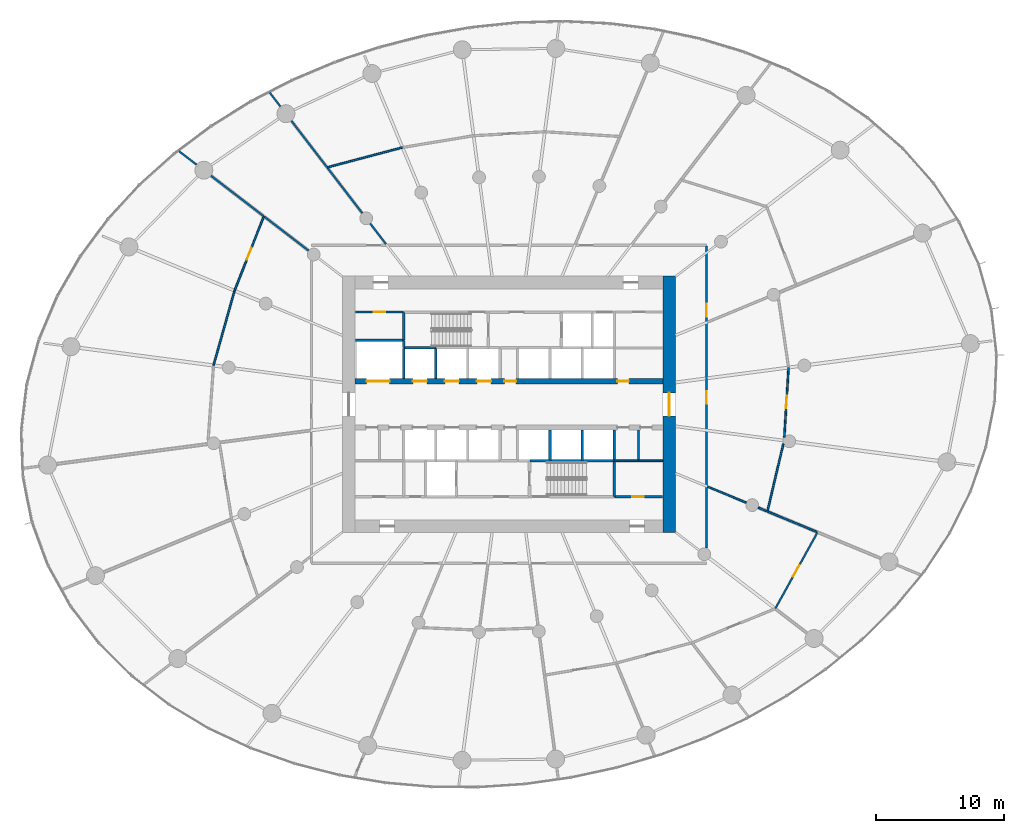
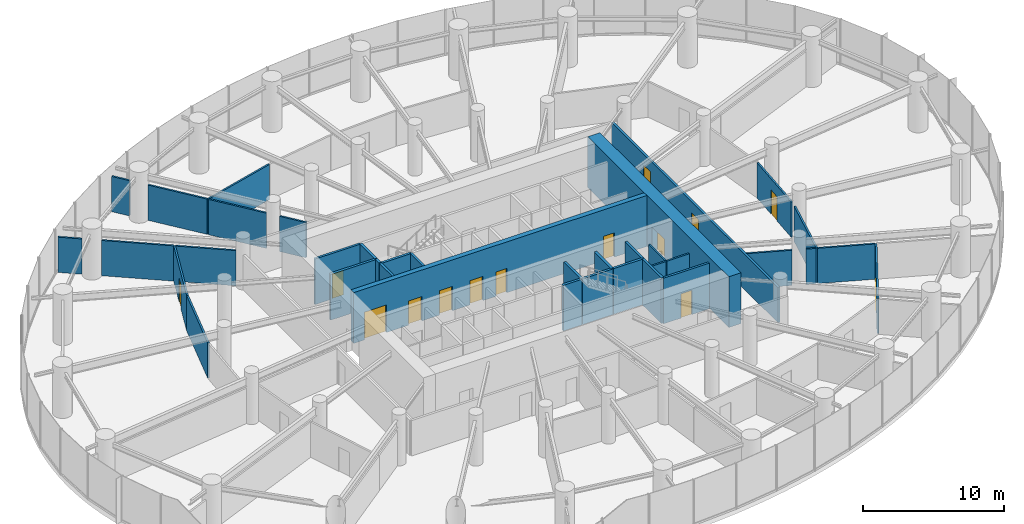
# One storey, part 14 of 19: 37 walls, 14 doors, 14 openings.
"""IFC4 building model written with IfcOpenShell, lengths in metres."""

from ifc_helpers import new_model, si_unit, direction, frame, frame_2d, origin, place, context, subcontext, project, spatial, rectangle, extrude, source, transform, mapped, material, layer, layer_set, type_object, element, fill, save


model = new_model("IFC4")

# Units and contexts
model_context = context("Model", 3, precision=1e-05, world=origin(), true_north=direction((0.0, 1.0)))
body_context = subcontext(model_context, "Body", "Model", "MODEL_VIEW")
ifc_project = project(units=[si_unit("LENGTHUNIT", "METRE"), si_unit("AREAUNIT", "SQUARE_METRE"), si_unit("VOLUMEUNIT", "CUBIC_METRE"), si_unit("PLANEANGLEUNIT", "RADIAN"), si_unit("MASSUNIT", "GRAM", prefix="KILO")], contexts=[model_context])

# Site, building, storey
site_placement = place(None, origin())
site = spatial("IfcSite", under=ifc_project, at=site_placement, CompositionType="ELEMENT")
building_placement = place(site_placement, origin())
building = spatial("IfcBuilding", under=site, at=building_placement, Name="Spindrift Exchange Tower", CompositionType="ELEMENT")
storey_placement = place(building_placement, frame((0.0, 0.0, 57.800048828125)))
storey = spatial("IfcBuildingStorey", under=building, at=storey_placement, Name="L13", CompositionType="ELEMENT", Elevation=57.800048828125)

# Wall, opening, door
ifc_material_1 = material(Name="Concrete 80 MPa", Category="concrete")
ifc_layer_1 = layer(ifc_material_1, 1.0)
ifc_layer_set_1 = layer_set([ifc_layer_1], Name="RC Core Wall 1000 Concrete 80 MPa")
wall_type_1 = type_object("IfcWallType", Name="RC Core Wall 1000 Concrete 80 MPa", PredefinedType="SHEAR", material=ifc_layer_set_1)
wall_1_placement = place(storey_placement, frame((64.5, 38.0, 0.0), z_axis=(0.0, 0.0, 1.0), x_axis=(0.0, 1.0, 0.0)))
wall_1 = element("IfcWall", 1, at=wall_1_placement, inside=storey, type_object=wall_type_1, Name="Core wall E L13", PredefinedType="SHEAR", context=body_context, shape_type="SweptSolid", body=[
    extrude(rectangle(XDim=20.0, YDim=1.0, at=frame_2d((10.0, 0.0))), origin(), (0.0, 0.0, 1.0), 4.39990234375),
])
opening_1_placement = place(wall_1_placement, frame((9.10009765625, 0.0, 0.0)))
opening_1 = element("IfcOpeningElement", 2, at=opening_1_placement, cuts=wall_1, Name="Opening L13-D2", PredefinedType="OPENING", context=body_context, shape_type="SweptSolid", body=[
    extrude(rectangle(XDim=1.800048828125, YDim=2.10009765625, at=frame_2d((0.89990234375, 1.050048828125))), frame((0.0, 0.510009765625, 0.0), z_axis=(0.0, -1.0, 0.0), x_axis=(1.0, 0.0, 0.0)), (0.0, 0.0, 1.0), 1.02001953125),
])
ifc_material_2 = material(Name="Timber-core fire door", Category="wood")
door_type_1 = type_object("IfcDoorType", Name="DR-LOBBY-1800", OperationType="NOTDEFINED", PredefinedType="DOOR", material=ifc_material_2)
shared_shape_1 = source(origin(), body_context, "Body", "SweptSolid", [
    extrude(rectangle(XDim=1.800048828125, YDim=2.10009765625, at=frame_2d((0.89990234375, 1.050048828125))), frame((0.0, 0.02490234375, 0.0), z_axis=(0.0, -1.0, 0.0), x_axis=(1.0, 0.0, 0.0)), (0.0, 0.0, 1.0), 0.050048828125),
])
door_1_placement = place(opening_1_placement, origin())
door_1 = element("IfcDoor", 3, at=door_1_placement, inside=storey, type_object=door_type_1, Name="L13 Lobby door 2", OperationType="SINGLE_SWING_LEFT", OverallHeight=2.10009765625, OverallWidth=1.800048828125, PredefinedType="DOOR", context=body_context, shape_type="MappedRepresentation", body=[
    mapped(shared_shape_1, transform((0.0, 0.0, 0.0), scale=1.0)),
])
fill(opening_1, door_1)

# Wall, openings, doors
ifc_layer_2 = layer(ifc_material_1, 0.39990234375)
ifc_layer_set_2 = layer_set([ifc_layer_2], Name="RC Spine Wall 400 Concrete 80 MPa")
wall_type_2 = type_object("IfcWallType", Name="RC Spine Wall 400 Concrete 80 MPa", PredefinedType="SHEAR", material=ifc_layer_set_2)
wall_2_placement = place(storey_placement, frame((40.0, 49.800048828125, 0.0), z_axis=(0.0, 0.0, 1.0), x_axis=(1.0, 0.0, 0.0)))
wall_2 = element("IfcWall", 4, at=wall_2_placement, inside=storey, type_object=wall_type_2, Name="Core spine wall N L13", PredefinedType="SHEAR", context=body_context, shape_type="SweptSolid", body=[
    extrude(rectangle(XDim=24.0, YDim=0.39990234375, at=frame_2d((12.0, 0.0))), origin(), (0.0, 0.0, 1.0), 4.39990234375),
])
opening_2_placement = place(wall_2_placement, frame((4.5, 0.0, 0.0)))
opening_2 = element("IfcOpeningElement", 5, at=opening_2_placement, cuts=wall_2, Name="Opening L13-D3", PredefinedType="OPENING", context=body_context, shape_type="SweptSolid", body=[
    extrude(rectangle(XDim=1.10009765625, YDim=2.10009765625, at=frame_2d((0.550048828125, 1.050048828125))), frame((0.0, 0.2099609375, 0.0), z_axis=(0.0, -1.0, 0.0), x_axis=(1.0, 0.0, 0.0)), (0.0, 0.0, 1.0), 0.419921875),
])
opening_3_placement = place(wall_2_placement, frame((7.0, 0.0, 0.0)))
opening_3 = element("IfcOpeningElement", 6, at=opening_3_placement, cuts=wall_2, Name="Opening L13-D4", PredefinedType="OPENING", context=body_context, shape_type="SweptSolid", body=[
    extrude(rectangle(XDim=1.10009765625, YDim=2.10009765625, at=frame_2d((0.550048828125, 1.050048828125))), frame((0.0, 0.2099609375, 0.0), z_axis=(0.0, -1.0, 0.0), x_axis=(1.0, 0.0, 0.0)), (0.0, 0.0, 1.0), 0.419921875),
])
opening_4_placement = place(wall_2_placement, frame((9.5, 0.0, 0.0)))
opening_4 = element("IfcOpeningElement", 7, at=opening_4_placement, cuts=wall_2, Name="Opening L13-D5", PredefinedType="OPENING", context=body_context, shape_type="SweptSolid", body=[
    extrude(rectangle(XDim=1.10009765625, YDim=2.10009765625, at=frame_2d((0.550048828125, 1.050048828125))), frame((0.0, 0.2099609375, 0.0), z_axis=(0.0, -1.0, 0.0), x_axis=(1.0, 0.0, 0.0)), (0.0, 0.0, 1.0), 0.419921875),
])
opening_5_placement = place(wall_2_placement, frame((0.89990234375, 0.0, 0.0)))
opening_5 = element("IfcOpeningElement", 8, at=opening_5_placement, cuts=wall_2, Name="Opening L13-D12", PredefinedType="OPENING", context=body_context, shape_type="SweptSolid", body=[
    extrude(rectangle(XDim=1.800048828125, YDim=2.39990234375, at=frame_2d((0.89990234375, 1.199951171875))), frame((0.0, 0.2099609375, 0.0), z_axis=(0.0, -1.0, 0.0), x_axis=(1.0, 0.0, 0.0)), (0.0, 0.0, 1.0), 0.419921875),
])
opening_6_placement = place(wall_2_placement, frame((20.449951171875, 0.0, 0.0)))
opening_6 = element("IfcOpeningElement", 9, at=opening_6_placement, cuts=wall_2, Name="Opening L13-D50", PredefinedType="OPENING", context=body_context, shape_type="SweptSolid", body=[
    extrude(rectangle(XDim=0.89990234375, YDim=2.10009765625, at=frame_2d((0.449951171875, 1.050048828125))), frame((0.0, 0.2099609375, 0.0), z_axis=(0.0, -1.0, 0.0), x_axis=(1.0, 0.0, 0.0)), (0.0, 0.0, 1.0), 0.419921875),
])
opening_7_placement = place(wall_2_placement, frame((11.64990234375, 0.0, 0.0)))
opening_7 = element("IfcOpeningElement", 10, at=opening_7_placement, cuts=wall_2, Name="Opening L13-D55", PredefinedType="OPENING", context=body_context, shape_type="SweptSolid", body=[
    extrude(rectangle(XDim=0.89990234375, YDim=2.10009765625, at=frame_2d((0.449951171875, 1.050048828125))), frame((0.0, 0.2099609375, 0.0), z_axis=(0.0, -1.0, 0.0), x_axis=(1.0, 0.0, 0.0)), (0.0, 0.0, 1.0), 0.419921875),
])
ifc_material_3 = material(Name="Stainless steel landing door", Category="steel")
door_type_2 = type_object("IfcDoorType", Name="DR-LANDING-1100-SL", OperationType="DOUBLE_DOOR_SLIDING", PredefinedType="USERDEFINED", material=ifc_material_3)
shared_shape_2 = source(origin(), body_context, "Body", "SweptSolid", [
    extrude(rectangle(XDim=1.10009765625, YDim=2.10009765625, at=frame_2d((0.550048828125, 1.050048828125))), frame((0.0, 0.02490234375, 0.0), z_axis=(0.0, -1.0, 0.0), x_axis=(1.0, 0.0, 0.0)), (0.0, 0.0, 1.0), 0.050048828125),
])
door_2_placement = place(opening_2_placement, origin())
door_2 = element("IfcDoor", 11, at=door_2_placement, inside=storey, type_object=door_type_2, Name="L13 Lift landing door 3", ObjectType="LANDING DOOR", OperationType="DOUBLE_DOOR_SLIDING", OverallHeight=2.10009765625, OverallWidth=1.10009765625, PredefinedType="USERDEFINED", context=body_context, shape_type="MappedRepresentation", body=[
    mapped(shared_shape_2, transform((0.0, 0.0, 0.0), scale=1.0)),
])
fill(opening_2, door_2)
door_3_placement = place(opening_3_placement, origin())
door_3 = element("IfcDoor", 12, at=door_3_placement, inside=storey, type_object=door_type_2, Name="L13 Lift landing door 4", ObjectType="LANDING DOOR", OperationType="DOUBLE_DOOR_SLIDING", OverallHeight=2.10009765625, OverallWidth=1.10009765625, PredefinedType="USERDEFINED", context=body_context, shape_type="MappedRepresentation", body=[
    mapped(shared_shape_2, transform((0.0, 0.0, 0.0), scale=1.0)),
])
fill(opening_3, door_3)
door_4_placement = place(opening_4_placement, origin())
door_4 = element("IfcDoor", 13, at=door_4_placement, inside=storey, type_object=door_type_2, Name="L13 Lift landing door 5", ObjectType="LANDING DOOR", OperationType="DOUBLE_DOOR_SLIDING", OverallHeight=2.10009765625, OverallWidth=1.10009765625, PredefinedType="USERDEFINED", context=body_context, shape_type="MappedRepresentation", body=[
    mapped(shared_shape_2, transform((0.0, 0.0, 0.0), scale=1.0)),
])
fill(opening_4, door_4)
door_type_3 = type_object("IfcDoorType", Name="DR-LANDING-1800-SL", OperationType="DOUBLE_DOOR_SLIDING", PredefinedType="USERDEFINED", material=ifc_material_3)
shared_shape_3 = source(origin(), body_context, "Body", "SweptSolid", [
    extrude(rectangle(XDim=1.800048828125, YDim=2.39990234375, at=frame_2d((0.89990234375, 1.199951171875))), frame((0.0, 0.02490234375, 0.0), z_axis=(0.0, -1.0, 0.0), x_axis=(1.0, 0.0, 0.0)), (0.0, 0.0, 1.0), 0.050048828125),
])
door_5_placement = place(opening_5_placement, origin())
door_5 = element("IfcDoor", 14, at=door_5_placement, inside=storey, type_object=door_type_3, Name="L13 Lift landing door 12", ObjectType="LANDING DOOR", OperationType="DOUBLE_DOOR_SLIDING", OverallHeight=2.39990234375, OverallWidth=1.800048828125, PredefinedType="USERDEFINED", context=body_context, shape_type="MappedRepresentation", body=[
    mapped(shared_shape_3, transform((0.0, 0.0, 0.0), scale=1.0)),
])
fill(opening_5, door_5)
ifc_material_4 = material(Name="Steel access door", Category="steel")
door_type_4 = type_object("IfcDoorType", Name="DR-RISER-900", OperationType="NOTDEFINED", PredefinedType="DOOR", material=ifc_material_4)
shared_shape_4 = source(origin(), body_context, "Body", "SweptSolid", [
    extrude(rectangle(XDim=0.89990234375, YDim=2.10009765625, at=frame_2d((0.449951171875, 1.050048828125))), frame((0.0, 0.02490234375, 0.0), z_axis=(0.0, -1.0, 0.0), x_axis=(1.0, 0.0, 0.0)), (0.0, 0.0, 1.0), 0.050048828125),
])
door_6_placement = place(opening_6_placement, origin())
door_6 = element("IfcDoor", 15, at=door_6_placement, inside=storey, type_object=door_type_4, Name="L13 Riser door 50", OperationType="SINGLE_SWING_LEFT", OverallHeight=2.10009765625, OverallWidth=0.89990234375, PredefinedType="DOOR", context=body_context, shape_type="MappedRepresentation", body=[
    mapped(shared_shape_4, transform((0.0, 0.0, 0.0), scale=1.0)),
])
fill(opening_6, door_6)
door_7_placement = place(opening_7_placement, origin())
door_7 = element("IfcDoor", 16, at=door_7_placement, inside=storey, type_object=door_type_4, Name="L13 Riser door 55", OperationType="SINGLE_SWING_RIGHT", OverallHeight=2.10009765625, OverallWidth=0.89990234375, PredefinedType="DOOR", context=body_context, shape_type="MappedRepresentation", body=[
    mapped(shared_shape_4, transform((0.0, 0.0, 0.0), scale=1.0)),
])
fill(opening_7, door_7)

# Wall, opening, door
ifc_material_5 = material(Name="Fire-rated plasterboard partition", Category="gypsum")
ifc_layer_3 = layer(ifc_material_5, 0.179931640625)
ifc_layer_set_3 = layer_set([ifc_layer_3], Name="W-CORR-180")
wall_type_3 = type_object("IfcWallType", Name="W-CORR-180", PredefinedType="PARTITIONING", material=ifc_layer_set_3)
wall_3_placement = place(storey_placement, frame((43.77001953125, 55.199951171875, 0.0), z_axis=(0.0, 0.0, 1.0), x_axis=(-1.0, 0.0, 0.0)))
wall_3 = element("IfcWall", 17, at=wall_3_placement, inside=storey, type_object=wall_type_3, Name="L13 Partition wall 62", PredefinedType="PARTITIONING", context=body_context, shape_type="SweptSolid", body=[
    extrude(rectangle(XDim=3.75, YDim=0.179931640625, at=frame_2d((1.875, 0.0))), origin(), (0.0, 0.0, 1.0), 3.949951171875),
])
opening_8_placement = place(wall_3_placement, frame((1.39990234375, 0.0, 0.0)))
opening_8 = element("IfcOpeningElement", 18, at=opening_8_placement, cuts=wall_3, Name="Opening L13-D46", PredefinedType="OPENING", context=body_context, shape_type="SweptSolid", body=[
    extrude(rectangle(XDim=0.89990234375, YDim=2.10009765625, at=frame_2d((0.449951171875, 1.050048828125))), frame((0.0, 0.099853515625, 0.0), z_axis=(0.0, -1.0, 0.0), x_axis=(1.0, 0.0, 0.0)), (0.0, 0.0, 1.0), 0.199951171875),
])
door_8_placement = place(opening_8_placement, origin())
door_8 = element("IfcDoor", 19, at=door_8_placement, inside=storey, type_object=door_type_4, Name="L13 Riser door 46", OperationType="SINGLE_SWING_LEFT", OverallHeight=2.10009765625, OverallWidth=0.89990234375, PredefinedType="DOOR", context=body_context, shape_type="MappedRepresentation", body=[
    mapped(shared_shape_4, transform((0.0, 0.0, 0.0), scale=1.0)),
])
fill(opening_8, door_8)

wall_4_placement = place(storey_placement, frame((60.22998046875, 40.800048828125, 0.0), z_axis=(0.0, 0.0, 1.0), x_axis=(1.0, 0.0, 0.0)))
wall_4 = element("IfcWall", 20, at=wall_4_placement, inside=storey, type_object=wall_type_3, Name="L13 Partition wall 63", PredefinedType="PARTITIONING", context=body_context, shape_type="SweptSolid", body=[
    extrude(rectangle(XDim=3.75, YDim=0.179931640625, at=frame_2d((1.875, 0.0))), origin(), (0.0, 0.0, 1.0), 3.949951171875),
])
opening_9_placement = place(wall_4_placement, frame((1.39990234375, 0.0, 0.0)))
opening_9 = element("IfcOpeningElement", 21, at=opening_9_placement, cuts=wall_4, Name="Opening L13-D52", PredefinedType="OPENING", context=body_context, shape_type="SweptSolid", body=[
    extrude(rectangle(XDim=0.89990234375, YDim=2.10009765625, at=frame_2d((0.449951171875, 1.050048828125))), frame((0.0, 0.099853515625, 0.0), z_axis=(0.0, -1.0, 0.0), x_axis=(1.0, 0.0, 0.0)), (0.0, 0.0, 1.0), 0.199951171875),
])
door_9_placement = place(opening_9_placement, origin())
door_9 = element("IfcDoor", 22, at=door_9_placement, inside=storey, type_object=door_type_4, Name="L13 Riser door 52", OperationType="SINGLE_SWING_LEFT", OverallHeight=2.10009765625, OverallWidth=0.89990234375, PredefinedType="DOOR", context=body_context, shape_type="MappedRepresentation", body=[
    mapped(shared_shape_4, transform((0.0, 0.0, 0.0), scale=1.0)),
])
fill(opening_9, door_9)

ifc_layer_4 = layer(ifc_material_5, 0.139892578125)
ifc_layer_set_4 = layer_set([ifc_layer_4], Name="W-PART-140")
wall_type_4 = type_object("IfcWallType", Name="W-PART-140", PredefinedType="PARTITIONING", material=ifc_layer_set_4)
wall_5_placement = place(storey_placement, frame((76.071044921875, 38.029296875, 0.0), z_axis=(0.0, 0.0, 1.0), x_axis=(-0.484378309165, -0.874858647788, 0.0)))
wall_5 = element("IfcWall", 23, at=wall_5_placement, inside=storey, type_object=wall_type_4, Name="L13 Partition wall 74", PredefinedType="PARTITIONING", context=body_context, shape_type="SweptSolid", body=[
    extrude(rectangle(XDim=6.788818359375, YDim=0.139892578125, at=frame_2d((3.39453125, 0.0))), origin(), (0.0, 0.0, 1.0), 3.050048828125),
])
opening_10_placement = place(wall_5_placement, frame((2.938720703125, 0.0, 0.0)))
opening_10 = element("IfcOpeningElement", 24, at=opening_10_placement, cuts=wall_5, Name="Opening L13-D30", PredefinedType="OPENING", context=body_context, shape_type="SweptSolid", body=[
    extrude(rectangle(XDim=1.0, YDim=2.10009765625, at=frame_2d((0.5, 1.050048828125))), frame((0.0, 0.079833984375, 0.0), z_axis=(0.0, -1.0, 0.0), x_axis=(1.0, 0.0, 0.0)), (0.0, 0.0, 1.0), 0.159912109375),
])
door_type_5 = type_object("IfcDoorType", Name="DR-ROOM-1000", OperationType="NOTDEFINED", PredefinedType="DOOR", material=ifc_material_2)
shared_shape_5 = source(origin(), body_context, "Body", "SweptSolid", [
    extrude(rectangle(XDim=1.0, YDim=2.10009765625, at=frame_2d((0.5, 1.050048828125))), frame((0.0, 0.02490234375, 0.0), z_axis=(0.0, -1.0, 0.0), x_axis=(1.0, 0.0, 0.0)), (0.0, 0.0, 1.0), 0.050048828125),
])
door_10_placement = place(opening_10_placement, origin())
door_10 = element("IfcDoor", 25, at=door_10_placement, inside=storey, type_object=door_type_5, Name="L13 Door 30", OperationType="SINGLE_SWING_LEFT", OverallHeight=2.10009765625, OverallWidth=1.0, PredefinedType="DOOR", context=body_context, shape_type="MappedRepresentation", body=[
    mapped(shared_shape_5, transform((0.0, 0.0, 0.0), scale=1.0)),
])
fill(opening_10, door_10)

# Walls
wall_6_placement = place(storey_placement, frame((72.18603515625, 39.638671875, 0.0), z_axis=(0.0, 0.0, 1.0), x_axis=(0.923883699466, -0.382673372291, 0.0)))
element("IfcWall", 26, at=wall_6_placement, inside=storey, type_object=wall_type_4, Name="L13 Partition wall 103", PredefinedType="PARTITIONING", context=body_context, shape_type="SweptSolid", body=[
    extrude(rectangle(XDim=4.134765625, YDim=0.139892578125, at=frame_2d((2.0673828125, 0.0))), origin(), (0.0, 0.0, 1.0), 3.050048828125),
])
wall_7_placement = place(storey_placement, frame((62.10009765625, 43.60009765625, 0.0), z_axis=(0.0, 0.0, 1.0), x_axis=(0.0, 1.0, 0.0)))
element("IfcWall", 27, at=wall_7_placement, inside=storey, type_object=wall_type_4, Name="L13 Partition wall 116", PredefinedType="PARTITIONING", context=body_context, shape_type="SweptSolid", body=[
    extrude(rectangle(XDim=2.389892578125, YDim=0.139892578125, at=frame_2d((1.19482421875, 0.0))), origin(), (0.0, 0.0, 1.0), 3.050048828125),
])
wall_8_placement = place(storey_placement, frame((60.22998046875, 43.60009765625, 0.0), z_axis=(0.0, 0.0, 1.0), x_axis=(1.0, 0.0, 0.0)))
element("IfcWall", 28, at=wall_8_placement, inside=storey, type_object=wall_type_4, Name="L13 Partition wall 125", PredefinedType="PARTITIONING", context=body_context, shape_type="SweptSolid", body=[
    extrude(rectangle(XDim=1.840087890625, YDim=0.139892578125, at=frame_2d((0.919921875, 0.0))), origin(), (0.0, 0.0, 1.0), 3.050048828125),
])
wall_9_placement = place(storey_placement, frame((62.1298828125, 43.60009765625, 0.0), z_axis=(0.0, 0.0, 1.0), x_axis=(1.0, 0.0, 0.0)))
element("IfcWall", 29, at=wall_9_placement, inside=storey, type_object=wall_type_4, Name="L13 Partition wall 127", PredefinedType="PARTITIONING", context=body_context, shape_type="SweptSolid", body=[
    extrude(rectangle(XDim=1.85009765625, YDim=0.139892578125, at=frame_2d((0.925048828125, 0.0))), origin(), (0.0, 0.0, 1.0), 3.050048828125),
])

# Wall, opening, door
ifc_layer_5 = layer(ifc_material_5, 0.139892578125)
ifc_layer_set_5 = layer_set([ifc_layer_5], Name="W-PLANT-140")
wall_type_5 = type_object("IfcWallType", Name="W-PLANT-140", PredefinedType="PARTITIONING", material=ifc_layer_set_5)
wall_10_placement = place(storey_placement, frame((30.596923828125, 56.865478515625, 0.0), z_axis=(0.0, 0.0, 1.0), x_axis=(0.36659433638, 0.930380885731, 0.0)))
wall_10 = element("IfcWall", 30, at=wall_10_placement, inside=storey, type_object=wall_type_5, Name="L13 Partition wall 77", PredefinedType="PARTITIONING", context=body_context, shape_type="SweptSolid", body=[
    extrude(rectangle(XDim=6.237548828125, YDim=0.139892578125, at=frame_2d((3.11865234375, 0.0))), origin(), (0.0, 0.0, 1.0), 3.050048828125),
])
opening_11_placement = place(wall_10_placement, frame((2.58740234375, 0.0, 0.0)))
opening_11 = element("IfcOpeningElement", 31, at=opening_11_placement, cuts=wall_10, Name="Opening L13-D41", PredefinedType="OPENING", context=body_context, shape_type="SweptSolid", body=[
    extrude(rectangle(XDim=1.0, YDim=2.10009765625, at=frame_2d((0.5, 1.050048828125))), frame((0.0, 0.079833984375, 0.0), z_axis=(0.0, -1.0, 0.0), x_axis=(1.0, 0.0, 0.0)), (0.0, 0.0, 1.0), 0.159912109375),
])
door_11_placement = place(opening_11_placement, origin())
door_11 = element("IfcDoor", 32, at=door_11_placement, inside=storey, type_object=door_type_5, Name="L13 Door 41", OperationType="SINGLE_SWING_RIGHT", OverallHeight=2.10009765625, OverallWidth=1.0, PredefinedType="DOOR", context=body_context, shape_type="MappedRepresentation", body=[
    mapped(shared_shape_5, transform((0.0, 0.0, 0.0), scale=1.0)),
])
fill(opening_11, door_11)

# Walls
wall_11_placement = place(storey_placement, frame((43.699951171875, 68.038330078125, 0.0), z_axis=(0.0, 0.0, 1.0), x_axis=(-0.966620202726, -0.256213550932, 0.0)))
element("IfcWall", 33, at=wall_11_placement, inside=storey, type_object=wall_type_5, Name="L13 Partition wall 79", PredefinedType="PARTITIONING", context=body_context, shape_type="SweptSolid", body=[
    extrude(rectangle(XDim=6.083251953125, YDim=0.139892578125, at=frame_2d((3.04150390625, 0.0))), origin(), (0.0, 0.0, 1.0), 3.050048828125),
])
wall_12_placement = place(storey_placement, frame((30.5888671875, 56.836669921875, 0.0), z_axis=(0.0, 0.0, 1.0), x_axis=(-0.270856993037, -0.962619597413, 0.0)))
element("IfcWall", 34, at=wall_12_placement, inside=storey, type_object=wall_type_5, Name="L13 Partition wall 80", PredefinedType="PARTITIONING", context=body_context, shape_type="SweptSolid", body=[
    extrude(rectangle(XDim=6.0283203125, YDim=0.139892578125, at=frame_2d((3.01416015625, 0.0))), origin(), (0.0, 0.0, 1.0), 3.050048828125),
])

# Wall, opening, door
wall_13_placement = place(storey_placement, frame((73.808349609375, 50.87109375, 0.0), z_axis=(0.0, 0.0, 1.0), x_axis=(-0.061254326826, -0.998122190639, 0.0)))
wall_13 = element("IfcWall", 35, at=wall_13_placement, inside=storey, type_object=wall_type_5, Name="L13 Partition wall 89", PredefinedType="PARTITIONING", context=body_context, shape_type="SweptSolid", body=[
    extrude(rectangle(XDim=5.4365234375, YDim=0.139892578125, at=frame_2d((2.71826171875, 0.0))), origin(), (0.0, 0.0, 1.0), 3.050048828125),
])
opening_12_placement = place(wall_13_placement, frame((2.186279296875, 0.0, 0.0)))
opening_12 = element("IfcOpeningElement", 36, at=opening_12_placement, cuts=wall_13, Name="Opening L13-D33", PredefinedType="OPENING", context=body_context, shape_type="SweptSolid", body=[
    extrude(rectangle(XDim=1.0, YDim=2.10009765625, at=frame_2d((0.5, 1.050048828125))), frame((0.0, 0.079833984375, 0.0), z_axis=(0.0, -1.0, 0.0), x_axis=(1.0, 0.0, 0.0)), (0.0, 0.0, 1.0), 0.159912109375),
])
door_12_placement = place(opening_12_placement, origin())
door_12 = element("IfcDoor", 37, at=door_12_placement, inside=storey, type_object=door_type_5, Name="L13 Door 33", OperationType="SINGLE_SWING_RIGHT", OverallHeight=2.10009765625, OverallWidth=1.0, PredefinedType="DOOR", context=body_context, shape_type="MappedRepresentation", body=[
    mapped(shared_shape_5, transform((0.0, 0.0, 0.0), scale=1.0)),
])
fill(opening_12, door_12)

# Walls
wall_14_placement = place(storey_placement, frame((72.158203125, 39.650146484375, 0.0), z_axis=(0.0, 0.0, 1.0), x_axis=(0.229149871326, 0.973391152863, 0.0)))
element("IfcWall", 38, at=wall_14_placement, inside=storey, type_object=wall_type_5, Name="L13 Partition wall 90", PredefinedType="PARTITIONING", context=body_context, shape_type="SweptSolid", body=[
    extrude(rectangle(XDim=5.41650390625, YDim=0.139892578125, at=frame_2d((2.708251953125, 0.0))), origin(), (0.0, 0.0, 1.0), 3.050048828125),
])
wall_15_placement = place(storey_placement, frame((32.85986328125, 62.686767578125, 0.0), z_axis=(0.0, 0.0, 1.0), x_axis=(-0.793372969887, 0.608735846367, 0.0)))
element("IfcWall", 39, at=wall_15_placement, inside=storey, type_object=wall_type_5, Name="L13 Partition wall 94", PredefinedType="PARTITIONING", context=body_context, shape_type="SweptSolid", body=[
    extrude(rectangle(XDim=5.170166015625, YDim=0.139892578125, at=frame_2d((2.5849609375, 0.0))), origin(), (0.0, 0.0, 1.0), 3.050048828125),
])
wall_16_placement = place(storey_placement, frame((37.8017578125, 66.503662109375, 0.0), z_axis=(0.0, 0.0, 1.0), x_axis=(-0.608789725695, 0.793331626679, 0.0)))
element("IfcWall", 40, at=wall_16_placement, inside=storey, type_object=wall_type_5, Name="L13 Partition wall 97", PredefinedType="PARTITIONING", context=body_context, shape_type="SweptSolid", body=[
    extrude(rectangle(XDim=4.549560546875, YDim=0.139892578125, at=frame_2d((2.27490234375, 0.0))), origin(), (0.0, 0.0, 1.0), 3.050048828125),
])
wall_17_placement = place(storey_placement, frame((40.55908203125, 62.91015625, 0.0), z_axis=(0.0, 0.0, 1.0), x_axis=(-0.608750123595, 0.793362015112, 0.0)))
element("IfcWall", 41, at=wall_17_placement, inside=storey, type_object=wall_type_5, Name="L13 Partition wall 100", PredefinedType="PARTITIONING", context=body_context, shape_type="SweptSolid", body=[
    extrude(rectangle(XDim=4.423583984375, YDim=0.139892578125, at=frame_2d((2.2119140625, 0.0))), origin(), (0.0, 0.0, 1.0), 3.050048828125),
])
wall_18_placement = place(storey_placement, frame((36.367431640625, 59.995361328125, 0.0), z_axis=(0.0, 0.0, 1.0), x_axis=(-0.793350599557, 0.608765000786, 0.0)))
element("IfcWall", 42, at=wall_18_placement, inside=storey, type_object=wall_type_5, Name="L13 Partition wall 102", PredefinedType="PARTITIONING", context=body_context, shape_type="SweptSolid", body=[
    extrude(rectangle(XDim=4.318359375, YDim=0.139892578125, at=frame_2d((2.1591796875, 0.0))), origin(), (0.0, 0.0, 1.0), 3.050048828125),
])
wall_19_placement = place(storey_placement, frame((67.489990234375, 41.583740234375, 0.0), z_axis=(0.0, 0.0, 1.0), x_axis=(0.923911109142, -0.382607190737, 0.0)))
element("IfcWall", 43, at=wall_19_placement, inside=storey, type_object=wall_type_5, Name="L13 Partition wall 108", PredefinedType="PARTITIONING", context=body_context, shape_type="SweptSolid", body=[
    extrude(rectangle(XDim=3.264404296875, YDim=0.139892578125, at=frame_2d((1.63232421875, 0.0))), origin(), (0.0, 0.0, 1.0), 3.050048828125),
])
wall_20_placement = place(storey_placement, frame((42.416015625, 60.489990234375, 0.0), z_axis=(0.0, 0.0, 1.0), x_axis=(-0.608727763541, 0.793379171578, 0.0)))
element("IfcWall", 44, at=wall_20_placement, inside=storey, type_object=wall_type_5, Name="L13 Partition wall 117", PredefinedType="PARTITIONING", context=body_context, shape_type="SweptSolid", body=[
    extrude(rectangle(XDim=2.04150390625, YDim=0.139892578125, at=frame_2d((1.020751953125, 0.0))), origin(), (0.0, 0.0, 1.0), 3.050048828125),
])
wall_21_placement = place(storey_placement, frame((27.640625, 66.69140625, 0.0), z_axis=(0.0, 0.0, 1.0), x_axis=(-0.793288592826, 0.608845800258, 0.0)))
element("IfcWall", 45, at=wall_21_placement, inside=storey, type_object=wall_type_5, Name="L13 Partition wall 128", PredefinedType="PARTITIONING", context=body_context, shape_type="SweptSolid", body=[
    extrude(rectangle(XDim=1.719482421875, YDim=0.139892578125, at=frame_2d((0.85986328125, 0.0))), origin(), (0.0, 0.0, 1.0), 3.050048828125),
])
wall_22_placement = place(storey_placement, frame((34.1748046875, 71.23046875, 0.0), z_axis=(0.0, 0.0, 1.0), x_axis=(-0.608933775349, 0.793221064546, 0.0)))
element("IfcWall", 46, at=wall_22_placement, inside=storey, type_object=wall_type_5, Name="L13 Partition wall 131", PredefinedType="PARTITIONING", context=body_context, shape_type="SweptSolid", body=[
    extrude(rectangle(XDim=1.3671875, YDim=0.139892578125, at=frame_2d((0.68359375, 0.0))), origin(), (0.0, 0.0, 1.0), 3.050048828125),
])
wall_23_placement = place(storey_placement, frame((71.439208984375, 39.947998046875, 0.0), z_axis=(0.0, 0.0, 1.0), x_axis=(0.92386119338, -0.382727703944, 0.0)))
element("IfcWall", 47, at=wall_23_placement, inside=storey, type_object=wall_type_5, Name="L13 Partition wall 137", PredefinedType="PARTITIONING", context=body_context, shape_type="SweptSolid", body=[
    extrude(rectangle(XDim=0.70751953125, YDim=0.139892578125, at=frame_2d((0.353759765625, 0.0))), origin(), (0.0, 0.0, 1.0), 3.050048828125),
])

# Wall, openings, doors
ifc_layer_6 = layer(ifc_material_5, 0.179931640625)
ifc_layer_set_6 = layer_set([ifc_layer_6], Name="W-PLANT-180")
wall_type_6 = type_object("IfcWallType", Name="W-PLANT-180", PredefinedType="PARTITIONING", material=ifc_layer_set_6)
wall_24_placement = place(storey_placement, frame((67.39990234375, 60.3701171875, 0.0), z_axis=(0.0, 0.0, 1.0), x_axis=(0.0, -1.0, 0.0)))
wall_24 = element("IfcWall", 48, at=wall_24_placement, inside=storey, type_object=wall_type_6, Name="L13 Partition wall 59", PredefinedType="PARTITIONING", context=body_context, shape_type="SweptSolid", body=[
    extrude(rectangle(XDim=23.58251953125, YDim=0.179931640625, at=frame_2d((11.791259765625, 0.0))), origin(), (0.0, 0.0, 1.0), 3.050048828125),
])
opening_13_placement = place(wall_24_placement, frame((11.33251953125, 0.0, 0.0)))
opening_13 = element("IfcOpeningElement", 49, at=opening_13_placement, cuts=wall_24, Name="Opening L13-D32", PredefinedType="OPENING", context=body_context, shape_type="SweptSolid", body=[
    extrude(rectangle(XDim=1.0, YDim=2.10009765625, at=frame_2d((0.5, 1.050048828125))), frame((0.0, 0.099853515625, 0.0), z_axis=(0.0, -1.0, 0.0), x_axis=(1.0, 0.0, 0.0)), (0.0, 0.0, 1.0), 0.199951171875),
])
opening_14_placement = place(wall_24_placement, frame((4.532470703125, 0.0, 0.0)))
opening_14 = element("IfcOpeningElement", 50, at=opening_14_placement, cuts=wall_24, Name="Opening L13-D34", PredefinedType="OPENING", context=body_context, shape_type="SweptSolid", body=[
    extrude(rectangle(XDim=1.0, YDim=2.10009765625, at=frame_2d((0.5, 1.050048828125))), frame((0.0, 0.099853515625, 0.0), z_axis=(0.0, -1.0, 0.0), x_axis=(1.0, 0.0, 0.0)), (0.0, 0.0, 1.0), 0.199951171875),
])
door_13_placement = place(opening_13_placement, origin())
door_13 = element("IfcDoor", 51, at=door_13_placement, inside=storey, type_object=door_type_5, Name="L13 Door 32", OperationType="SINGLE_SWING_LEFT", OverallHeight=2.10009765625, OverallWidth=1.0, PredefinedType="DOOR", context=body_context, shape_type="MappedRepresentation", body=[
    mapped(shared_shape_5, transform((0.0, 0.0, 0.0), scale=1.0)),
])
fill(opening_13, door_13)
door_14_placement = place(opening_14_placement, origin())
door_14 = element("IfcDoor", 52, at=door_14_placement, inside=storey, type_object=door_type_5, Name="L13 Door 34", OperationType="SINGLE_SWING_LEFT", OverallHeight=2.10009765625, OverallWidth=1.0, PredefinedType="DOOR", context=body_context, shape_type="MappedRepresentation", body=[
    mapped(shared_shape_5, transform((0.0, 0.0, 0.0), scale=1.0)),
])
fill(opening_14, door_14)

# Walls
ifc_material_6 = material(Name="Concrete 40 MPa", Category="concrete")
ifc_layer_7 = layer(ifc_material_6, 0.199951171875)
ifc_layer_set_7 = layer_set([ifc_layer_7], Name="W-SHAFT-200-LB")
wall_type_7 = type_object("IfcWallType", Name="W-SHAFT-200-LB", PredefinedType="SOLIDWALL", material=ifc_layer_set_7)
wall_25_placement = place(storey_placement, frame((43.800048828125, 53.0, 0.0), z_axis=(0.0, 0.0, 1.0), x_axis=(-1.0, 0.0, 0.0)))
element("IfcWall", 53, at=wall_25_placement, inside=storey, type_object=wall_type_7, Name="L13 Shaft wall 5", PredefinedType="SOLIDWALL", context=body_context, shape_type="SweptSolid", body=[
    extrude(rectangle(XDim=3.780029296875, YDim=0.199951171875, at=frame_2d((1.89013671875, 0.0))), origin(), (0.0, 0.0, 1.0), 3.949951171875),
])
wall_26_placement = place(storey_placement, frame((60.199951171875, 40.830078125, 0.0), z_axis=(0.0, 0.0, 1.0), x_axis=(0.0, 1.0, 0.0)))
element("IfcWall", 54, at=wall_26_placement, inside=storey, type_object=wall_type_7, Name="L13 Shaft wall 10", PredefinedType="SOLIDWALL", context=body_context, shape_type="SweptSolid", body=[
    extrude(rectangle(XDim=2.77001953125, YDim=0.199951171875, at=frame_2d((1.385009765625, 0.0))), origin(), (0.0, 0.0, 1.0), 3.949951171875),
])
for number, where, z_axis, x_axis, name in (
    (55, (46.300048828125, 52.39990234375, 0.0), (0.0, 0.0, 1.0), (-1.0, 0.0, 0.0), "L13 Shaft wall 15"),
    (56, (55.199951171875, 43.60009765625, 0.0), (0.0, 0.0, 1.0), (1.0, 0.0, 0.0), "L13 Shaft wall 19"),
):
    element("IfcWall", number, at=place(storey_placement, frame(where, z_axis=z_axis, x_axis=x_axis)), inside=storey, type_object=wall_type_7, Name=name, PredefinedType="SOLIDWALL", context=body_context, shape_type="SweptSolid", body=[
        extrude(rectangle(XDim=2.5, YDim=0.199951171875, at=frame_2d((1.25, 0.0))), origin(), (0.0, 0.0, 1.0), 3.949951171875),
    ])
wall_27_placement = place(storey_placement, frame((57.72998046875, 43.60009765625, 0.0), z_axis=(0.0, 0.0, 1.0), x_axis=(1.0, 0.0, 0.0)))
element("IfcWall", 57, at=wall_27_placement, inside=storey, type_object=wall_type_7, Name="L13 Shaft wall 20", PredefinedType="SOLIDWALL", context=body_context, shape_type="SweptSolid", body=[
    extrude(rectangle(XDim=2.43994140625, YDim=0.199951171875, at=frame_2d((1.219970703125, 0.0))), origin(), (0.0, 0.0, 1.0), 3.949951171875),
])
for number, where, z_axis, x_axis, name in (
    (58, (43.800048828125, 52.3701171875, 0.0), (0.0, 0.0, 1.0), (0.0, -1.0, 0.0), "L13 Shaft wall 24"),
    (59, (46.300048828125, 50.010009765625, 0.0), (0.0, 0.0, 1.0), (0.0, 1.0, 0.0), "L13 Shaft wall 26"),
    (60, (55.199951171875, 43.6298828125, 0.0), (0.0, 0.0, 1.0), (0.0, 1.0, 0.0), "L13 Shaft wall 33"),
    (61, (57.699951171875, 43.6298828125, 0.0), (0.0, 0.0, 1.0), (0.0, 1.0, 0.0), "L13 Shaft wall 35"),
    (62, (60.199951171875, 43.6298828125, 0.0), (0.0, 0.0, 1.0), (0.0, 1.0, 0.0), "L13 Shaft wall 37"),
):
    element("IfcWall", number, at=place(storey_placement, frame(where, z_axis=z_axis, x_axis=x_axis)), inside=storey, type_object=wall_type_7, Name=name, PredefinedType="SOLIDWALL", context=body_context, shape_type="SweptSolid", body=[
        extrude(rectangle(XDim=2.360107421875, YDim=0.199951171875, at=frame_2d((1.18017578125, 0.0))), origin(), (0.0, 0.0, 1.0), 3.949951171875),
    ])
wall_28_placement = place(storey_placement, frame((43.800048828125, 55.169921875, 0.0), z_axis=(0.0, 0.0, 1.0), x_axis=(0.0, -1.0, 0.0)))
element("IfcWall", 63, at=wall_28_placement, inside=storey, type_object=wall_type_7, Name="L13 Shaft wall 39", PredefinedType="SOLIDWALL", context=body_context, shape_type="SweptSolid", body=[
    extrude(rectangle(XDim=2.139892578125, YDim=0.199951171875, at=frame_2d((1.06982421875, 0.0))), origin(), (0.0, 0.0, 1.0), 3.949951171875),
])
wall_29_placement = place(storey_placement, frame((53.6298828125, 43.60009765625, 0.0), z_axis=(0.0, 0.0, 1.0), x_axis=(1.0, 0.0, 0.0)))
element("IfcWall", 64, at=wall_29_placement, inside=storey, type_object=wall_type_7, Name="L13 Shaft wall 46", PredefinedType="SOLIDWALL", context=body_context, shape_type="SweptSolid", body=[
    extrude(rectangle(XDim=1.5400390625, YDim=0.199951171875, at=frame_2d((0.77001953125, 0.0))), origin(), (0.0, 0.0, 1.0), 3.949951171875),
])
wall_30_placement = place(storey_placement, frame((43.800048828125, 52.429931640625, 0.0), z_axis=(0.0, 0.0, 1.0), x_axis=(0.0, 1.0, 0.0)))
element("IfcWall", 65, at=wall_30_placement, inside=storey, type_object=wall_type_7, Name="L13 Shaft wall 56", PredefinedType="SOLIDWALL", context=body_context, shape_type="SweptSolid", body=[
    extrude(rectangle(XDim=0.5400390625, YDim=0.199951171875, at=frame_2d((0.27001953125, 0.0))), origin(), (0.0, 0.0, 1.0), 3.949951171875),
])

save(model, "model.ifc")
